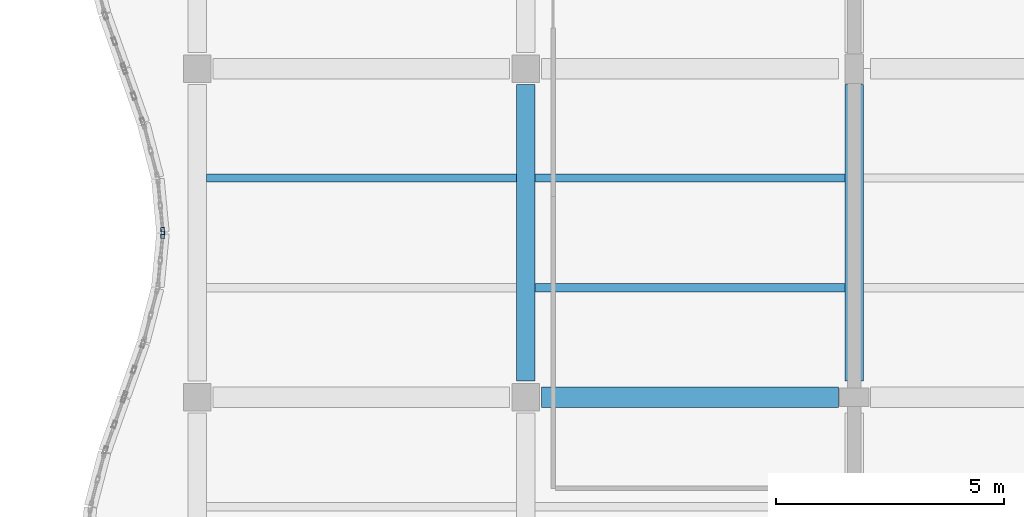
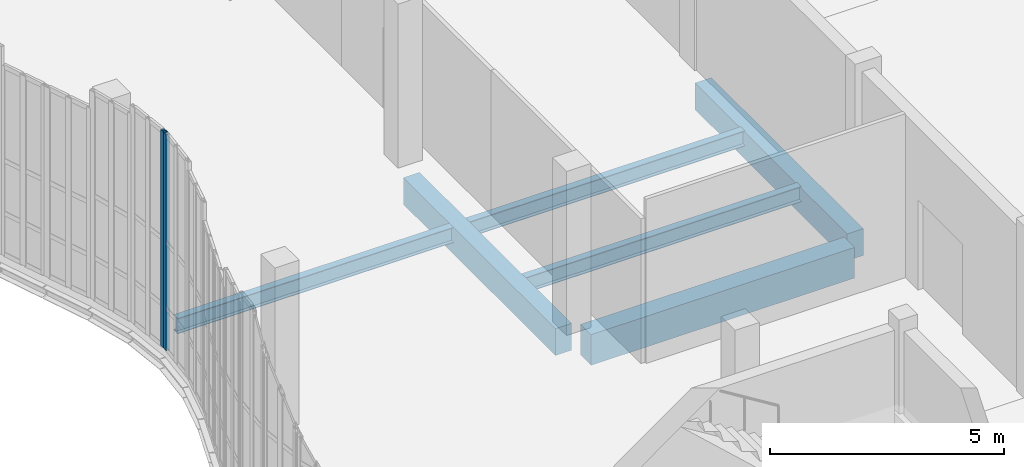
# One storey, part 37 of 105: 6 beams, 2 members, 2 elements without a shape of their own.
"""IFC4 building model written with IfcOpenShell, lengths in metres."""

from ifc_helpers import new_model, si_unit, direction, frame, origin, origin_2d, place, context, subcontext, project, spatial, rectangle, hollow_rectangle, i_section, extrude, material, layer, layer_set, material_profile, profile_set, type_object, element, aggregate, save


model = new_model("IFC4")

# Units and contexts
model_context = context("Model", 3, precision=1e-05, world=origin(), true_north=direction((0.0, 1.0)))
body_context = subcontext(model_context, "Body", "Model", "MODEL_VIEW")
ifc_project = project(units=[si_unit("LENGTHUNIT", "METRE"), si_unit("AREAUNIT", "SQUARE_METRE"), si_unit("VOLUMEUNIT", "CUBIC_METRE"), si_unit("PLANEANGLEUNIT", "RADIAN"), si_unit("MASSUNIT", "GRAM", prefix="KILO"), si_unit("THERMODYNAMICTEMPERATUREUNIT", "KELVIN"), si_unit("POWERUNIT", "WATT")], contexts=[model_context])

# Site, building, storey
site_placement = place(None, origin())
site = spatial("IfcSite", under=ifc_project, at=site_placement, CompositionType="ELEMENT")
building_placement = place(site_placement, origin())
building = spatial("IfcBuilding", under=site, at=building_placement, Name="Kaldorven Railside Theatre", CompositionType="ELEMENT")
storey_placement = place(building_placement, frame((0.0, 0.0, 9.89990234375)))
storey = spatial("IfcBuildingStorey", under=building, at=storey_placement, Name="L02", CompositionType="ELEMENT", Elevation=9.89990234375)

# Beams
ifc_material_1 = material(Name="Steel S355", Category="steel")
ifc_material_profile_1 = material_profile(ifc_material_1, i_section(OverallWidth=0.179931640625, OverallDepth=0.39990234375, WebThickness=0.008544921875, FlangeThickness=0.013427734375, at=origin_2d()), Name="IPE 400")
ifc_profile_set_1 = profile_set([ifc_material_profile_1], Name="Steel S355")
beam_type_1 = type_object("IfcBeamType", Name="BM-IPE400", PredefinedType="JOIST", material=ifc_profile_set_1)
for number, where, z_axis, x_axis, name in (
    (1, (73.0, 52.800048828125, -0.449951171875), (1.0, 0.0, 0.0), (0.0, 1.0, 0.0), "L02 Secondary Floor Joist JG-L02-072-0528"),
    (2, (80.199951171875, 50.39990234375, -0.449951171875), (1.0, 0.0, 0.0), (0.0, 1.0, 0.0), "L02 Secondary Floor Joist JG-L02-080-0504"),
    (3, (80.199951171875, 52.800048828125, -0.449951171875), (1.0, 0.0, 0.0), (0.0, 1.0, 0.0), "L02 Secondary Floor Joist JG-L02-080-0528"),
):
    element("IfcBeam", number, at=place(storey_placement, frame(where, z_axis=z_axis, x_axis=x_axis)), inside=storey, type_object=beam_type_1, Name=name, PredefinedType="JOIST", context=body_context, shape_type="SweptSolid", body=[
        extrude(i_section(OverallWidth=0.179931640625, OverallDepth=0.39990234375, WebThickness=0.008544921875, FlangeThickness=0.013427734375, at=origin_2d()), origin(), (0.0, 0.0, 1.0), 6.800048828125),
    ])
ifc_material_2 = material(Name="Concrete C40/50", Category="concrete")
ifc_material_profile_2 = material_profile(ifc_material_2, rectangle(XDim=0.39990234375, YDim=0.699951171875, at=origin_2d()), Name="RC 400x700")
ifc_profile_set_2 = profile_set([ifc_material_profile_2], Name="Concrete C40/50")
beam_type_2 = type_object("IfcBeamType", Name="BM-RC400x700", PredefinedType="BEAM", material=ifc_profile_set_2)
for number, where, z_axis, x_axis, name in (
    (4, (80.0, 48.35009765625, -0.599853515625), (0.0, 1.0, 0.0), (-1.0, 0.0, 0.0), "L02 Girder BGY-L02-080-048-72"),
    (5, (87.199951171875, 48.35009765625, -0.64990234375), (0.0, 1.0, 0.0), (-1.0, 0.0, 0.0), "L02 Girder BGY-L02-087-048-72"),
):
    element("IfcBeam", number, at=place(storey_placement, frame(where, z_axis=z_axis, x_axis=x_axis)), inside=storey, type_object=beam_type_2, Name=name, PredefinedType="BEAM", context=body_context, shape_type="SweptSolid", body=[
        extrude(rectangle(XDim=0.39990234375, YDim=0.699951171875, at=origin_2d()), origin(), (0.0, 0.0, 1.0), 6.5),
    ])
ifc_material_profile_3 = material_profile(ifc_material_2, rectangle(XDim=0.449951171875, YDim=0.800048828125, at=origin_2d()), Name="RC 450x800")
ifc_profile_set_3 = profile_set([ifc_material_profile_3], Name="Concrete C40/50")
beam_type_3 = type_object("IfcBeamType", Name="BM-RC450x800", PredefinedType="BEAM", material=ifc_profile_set_3)
beam_placement = place(storey_placement, frame((80.35009765625, 48.0, -0.64990234375), z_axis=(1.0, 0.0, 0.0), x_axis=(0.0, 1.0, 0.0)))
element("IfcBeam", 6, at=beam_placement, inside=storey, type_object=beam_type_3, Name="L02 Girder BGX-L02-080-048", PredefinedType="BEAM", context=body_context, shape_type="SweptSolid", body=[
    extrude(rectangle(XDim=0.449951171875, YDim=0.800048828125, at=origin_2d()), origin(), (0.0, 0.0, 1.0), 6.5),
])

# Curtain wall, member
ifc_material_3 = material(Name="Low-E laminated solar-control glass", Category="glass")
ifc_layer = layer(ifc_material_3, 0.159912109375, Name="Low-E laminated solar-control glass")
ifc_layer_set = layer_set([ifc_layer], Name="Low-E laminated solar-control glass")
curtain_wall_type = type_object("IfcCurtainWallType", Name="CWT-24", PredefinedType="USERDEFINED", material=ifc_layer_set)
curtain_wall_1_placement = place(storey_placement, origin())
curtain_wall_1 = element("IfcCurtainWall", 7, at=curtain_wall_1_placement, inside=storey, type_object=curtain_wall_type, Name="Sinusoidal Fluted Curtain Wall CW-L02-W09", ObjectType="FLUTED GLAZING", PredefinedType="USERDEFINED")
ifc_material_4 = material(Name="Anodised bronze aluminium", Category="aluminium")
ifc_material_profile_4 = material_profile(ifc_material_4, hollow_rectangle(XDim=0.080078125, YDim=0.159912109375, WallThickness=0.00634765625, at=origin_2d()), Name="RHS 160x80x6.3")
ifc_profile_set_4 = profile_set([ifc_material_profile_4], Name="Anodised bronze aluminium")
member_type = type_object("IfcMemberType", Name="CWM-160", PredefinedType="MULLION", material=ifc_profile_set_4)
member_1_placement = place(storey_placement, frame((72.046142578125, 51.56005859375, 0.0), z_axis=(0.0, 0.0, 1.0), x_axis=(-0.995525623425, 0.094491973758, 0.0)))
member_1 = element("IfcMember", 8, at=member_1_placement, type_object=member_type, Name="CW-L02-W09 mullion 3", PredefinedType="MULLION", context=body_context, shape_type="SweptSolid", body=[
    extrude(hollow_rectangle(XDim=0.080078125, YDim=0.159912109375, WallThickness=0.00634765625, at=origin_2d()), origin(), (0.0, 0.0, 1.0), 5.64013671875),
])
aggregate(curtain_wall_1, [member_1])

curtain_wall_2_placement = place(storey_placement, origin())
curtain_wall_2 = element("IfcCurtainWall", 9, at=curtain_wall_2_placement, inside=storey, type_object=curtain_wall_type, Name="Sinusoidal Fluted Curtain Wall CW-L02-W10", ObjectType="FLUTED GLAZING", PredefinedType="USERDEFINED")
member_2_placement = place(storey_placement, frame((72.046142578125, 51.639892578125, 0.0), z_axis=(0.0, 0.0, 1.0), x_axis=(-0.995525623425, -0.094491973758, 0.0)))
member_2 = element("IfcMember", 10, at=member_2_placement, type_object=member_type, Name="CW-L02-W10 mullion 1", PredefinedType="MULLION", context=body_context, shape_type="SweptSolid", body=[
    extrude(hollow_rectangle(XDim=0.080078125, YDim=0.159912109375, WallThickness=0.00634765625, at=origin_2d()), origin(), (0.0, 0.0, 1.0), 5.64013671875),
])
aggregate(curtain_wall_2, [member_2])

save(model, "model.ifc")
